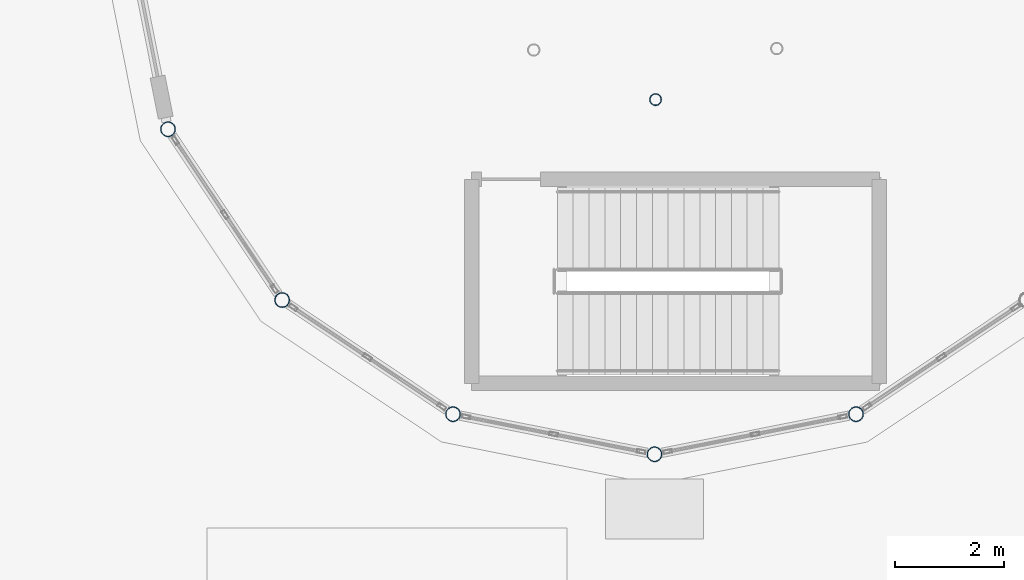
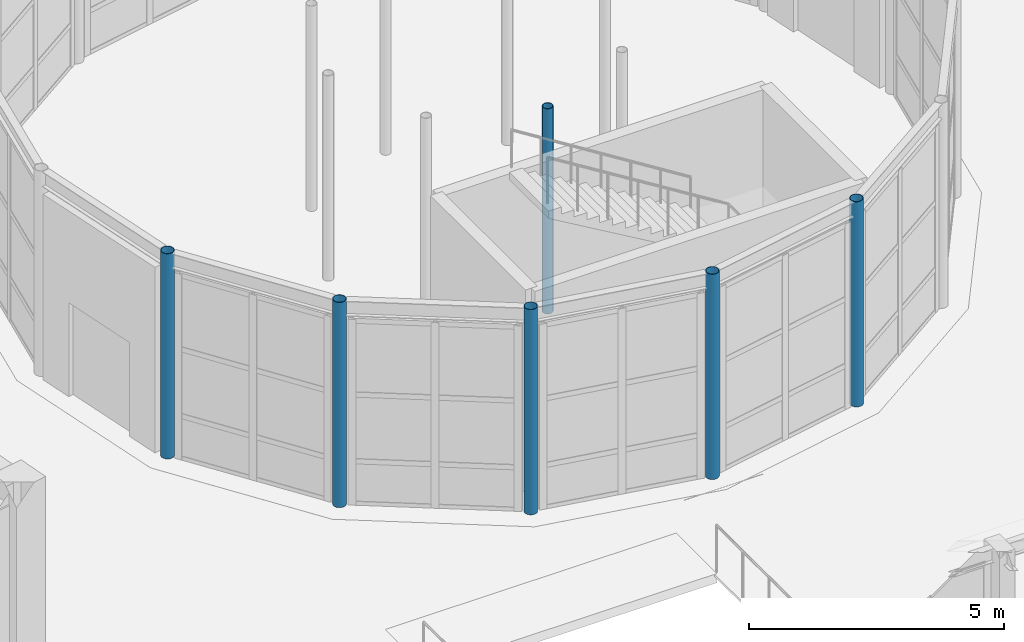
# One storey, part 2 of 57: 6 columns.
"""IFC4 building model written with IfcOpenShell, lengths in metres."""

from ifc_helpers import new_model, si_unit, direction, frame, origin, origin_2d, place, context, subcontext, project, spatial, hollow_circle, extrude, material, material_profile, profile_set, type_object, element, save


model = new_model("IFC4")

# Units and contexts
model_context = context("Model", 3, precision=1e-05, world=origin(), true_north=direction((0.0, 1.0)))
body_context = subcontext(model_context, "Body", "Model", "MODEL_VIEW")
ifc_project = project(units=[si_unit("LENGTHUNIT", "METRE"), si_unit("AREAUNIT", "SQUARE_METRE"), si_unit("VOLUMEUNIT", "CUBIC_METRE"), si_unit("PLANEANGLEUNIT", "RADIAN"), si_unit("MASSUNIT", "GRAM", prefix="KILO")], contexts=[model_context])

# Site, building, storey
site_placement = place(None, origin())
site = spatial("IfcSite", under=ifc_project, at=site_placement, CompositionType="ELEMENT")
building_placement = place(site_placement, origin())
building = spatial("IfcBuilding", under=site, at=building_placement, Name="Kharisveld Research Institute", CompositionType="ELEMENT")
storey_placement = place(building_placement, origin())
storey = spatial("IfcBuildingStorey", under=building, at=storey_placement, Name="L00", CompositionType="ELEMENT", Elevation=0.0)

# Columns
ifc_material_1 = material(Name="Steel S355J2H", Category="steel")
ifc_material_profile_1 = material_profile(ifc_material_1, hollow_circle(Radius=0.109619140625, WallThickness=0.010009765625, at=origin_2d()))
ifc_profile_set_1 = profile_set([ifc_material_profile_1], Name="Steel S355J2H")
column_type_1 = type_object("IfcColumnType", Name="COL_ST_CHS219", PredefinedType="COLUMN", material=ifc_profile_set_1)
column_placement = place(storey_placement, frame((59.519287109375, 47.650146484375, 0.0), z_axis=(0.0, 0.0, 1.0), x_axis=(1.0, 0.0, 0.0)))
element("IfcColumn", 1, at=column_placement, inside=storey, type_object=column_type_1, Name="COL:V6:L00:OC12", PredefinedType="COLUMN", context=body_context, shape_type="SweptSolid", body=[
    extrude(hollow_circle(Radius=0.109619140625, WallThickness=0.010009765625, at=origin_2d()), origin(), (0.0, 0.0, 1.0), 4.919921875),
])
ifc_material_2 = material(Name="Steel S355J2H", Category="steel")
ifc_material_profile_2 = material_profile(ifc_material_2, hollow_circle(Radius=0.136474609375, WallThickness=0.010009765625, at=origin_2d()))
ifc_profile_set_2 = profile_set([ifc_material_profile_2], Name="Steel S355J2H")
column_type_2 = type_object("IfcColumnType", Name="COL_ST_CHS273", PredefinedType="COLUMN", material=ifc_profile_set_2)
for number, where, z_axis, x_axis, name in (
    (2, (50.58447265625, 47.107177734375, 0.0), (0.0, 0.0, 1.0), (1.0, 0.0, 0.0), "COL:V6:L00:R09"),
    (3, (52.676513671875, 43.976318359375, 0.0), (0.0, 0.0, 1.0), (1.0, 0.0, 0.0), "COL:V6:L00:R10"),
    (4, (55.80712890625, 41.884521484375, 0.0), (0.0, 0.0, 1.0), (1.0, 0.0, 0.0), "COL:V6:L00:R11"),
    (5, (59.5, 41.14990234375, 0.0), (0.0, 0.0, 1.0), (1.0, 0.0, 0.0), "COL:V6:L00:R12"),
    (6, (63.19287109375, 41.884521484375, 0.0), (0.0, 0.0, 1.0), (1.0, 0.0, 0.0), "COL:V6:L00:R13"),
):
    element("IfcColumn", number, at=place(storey_placement, frame(where, z_axis=z_axis, x_axis=x_axis)), inside=storey, type_object=column_type_2, Name=name, PredefinedType="COLUMN", context=body_context, shape_type="SweptSolid", body=[
        extrude(hollow_circle(Radius=0.136474609375, WallThickness=0.010009765625, at=origin_2d()), origin(), (0.0, 0.0, 1.0), 4.919921875),
    ])

save(model, "model.ifc")
